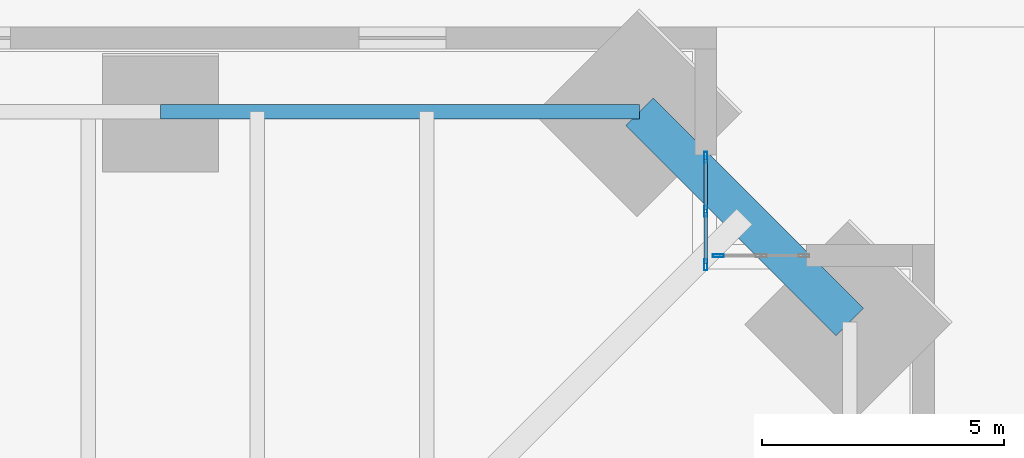
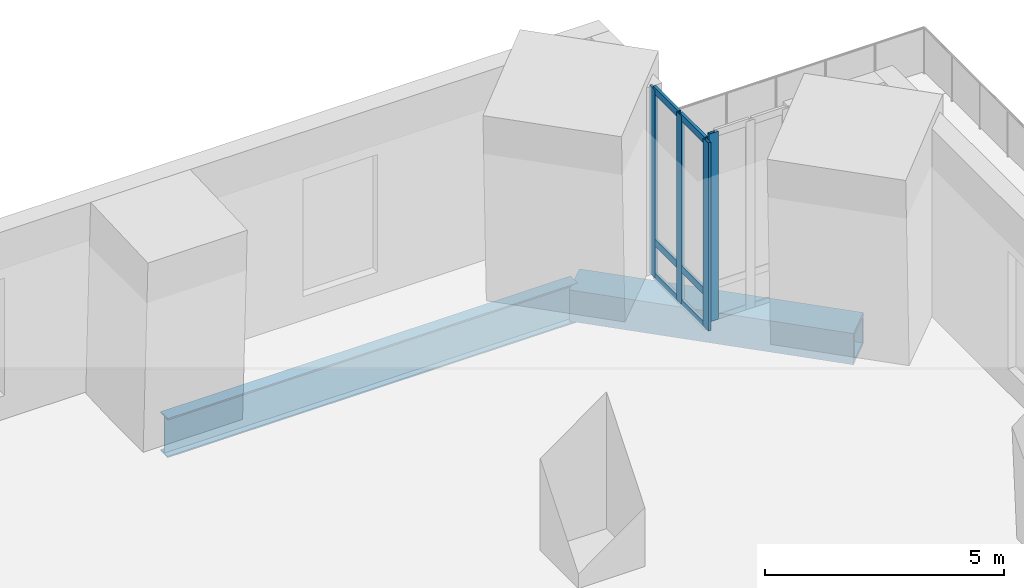
# One storey, part 8 of 26: 10 members, 2 beams, 2 elements without a shape of their own.
"""IFC4 building model written with IfcOpenShell, lengths in metres."""

from ifc_helpers import new_model, si_unit, direction, frame, origin, origin_2d, place, context, subcontext, project, spatial, hollow_rectangle, i_section, extrude, material, material_profile, profile_set, type_object, element, aggregate, save


model = new_model("IFC4")

# Units and contexts
model_context = context("Model", 3, precision=1e-05, world=origin(), true_north=direction((0.0, 1.0)))
body_context = subcontext(model_context, "Body", "Model", "MODEL_VIEW")
ifc_project = project(units=[si_unit("LENGTHUNIT", "METRE"), si_unit("AREAUNIT", "SQUARE_METRE"), si_unit("VOLUMEUNIT", "CUBIC_METRE"), si_unit("PLANEANGLEUNIT", "RADIAN"), si_unit("MASSUNIT", "GRAM", prefix="KILO")], contexts=[model_context])

# Site, building, storey
site_placement = place(None, origin())
site = spatial("IfcSite", under=ifc_project, at=site_placement, CompositionType="ELEMENT")
building_placement = place(site_placement, origin())
building = spatial("IfcBuilding", under=site, at=building_placement, Name="Peilmerk Tower", CompositionType="ELEMENT")
storey_placement = place(building_placement, frame((0.0, 0.0, 16.0)))
storey = spatial("IfcBuildingStorey", under=building, at=storey_placement, Name="L03", CompositionType="ELEMENT", Elevation=16.0)

# Beams
ifc_material_1 = material(Name="Steel S355", Category="steel")
ifc_material_profile_1 = material_profile(ifc_material_1, i_section(OverallWidth=0.300048828125, OverallDepth=1.0, WebThickness=0.01904296875, FlangeThickness=0.035888671875, at=origin_2d()), Name="HEB 1000")
ifc_profile_set_1 = profile_set([ifc_material_profile_1], Name="Steel S355")
beam_type_1 = type_object("IfcBeamType", Name="B13 HEB 1000 edge beam", PredefinedType="SPANDREL", material=ifc_profile_set_1)
beam_1_placement = place(storey_placement, frame((25.901611328125, 30.251708984375, -0.699951171875), z_axis=(-1.0, 0.0, 0.0), x_axis=(0.0, -1.0, 0.0)))
element("IfcBeam", 1, at=beam_1_placement, inside=storey, type_object=beam_type_1, Name="Edge beam L03", PredefinedType="SPANDREL", context=body_context, shape_type="SweptSolid", body=[
    extrude(i_section(OverallWidth=0.300048828125, OverallDepth=1.0, WebThickness=0.01904296875, FlangeThickness=0.035888671875, at=origin_2d()), origin(), (0.0, 0.0, 1.0), 9.901611328125),
])
ifc_material_2 = material(Name="Steel S460", Category="steel")
ifc_material_profile_2 = material_profile(ifc_material_2, hollow_rectangle(XDim=0.800048828125, YDim=0.800048828125, WallThickness=0.080078125, at=origin_2d()), Name="BOX 800x800x80")
ifc_profile_set_2 = profile_set([ifc_material_profile_2], Name="Steel S460")
beam_type_2 = type_object("IfcBeamType", Name="B8 BOX 800x800x80 notch beam", PredefinedType="SPANDREL", material=ifc_profile_set_2)
beam_2_placement = place(storey_placement, frame((25.901611328125, 30.251708984375, -0.60009765625), z_axis=(0.707106781187, -0.707106781187, 0.0), x_axis=(0.707106781187, 0.707106781187, 0.0)))
element("IfcBeam", 2, at=beam_2_placement, inside=storey, type_object=beam_type_2, Name="Notch beam L03", PredefinedType="SPANDREL", context=body_context, shape_type="SweptSolid", body=[
    extrude(hollow_rectangle(XDim=0.800048828125, YDim=0.800048828125, WallThickness=0.080078125, at=origin_2d()), origin(), (0.0, 0.0, 1.0), 6.15185546875),
])

# Curtain wall, members
ifc_material_3 = material(Name="Aluminium stick curtain wall", Category="aluminium")
curtain_wall_type = type_object("IfcCurtainWallType", Name="CW1 stick curtain wall, 1500 module", PredefinedType="NOTDEFINED", material=ifc_material_3)
curtain_wall_1_placement = place(storey_placement, origin())
curtain_wall_1 = element("IfcCurtainWall", 3, at=curtain_wall_1_placement, inside=storey, type_object=curtain_wall_type, Name="Curtain wall CW1 NEA L03", PredefinedType="NOTDEFINED")
ifc_material_4 = material(Name="Aluminium EN AW-6063 T6", Category="aluminium")
ifc_material_profile_3 = material_profile(ifc_material_4, hollow_rectangle(XDim=0.06494140625, YDim=0.22509765625, WallThickness=0.00390625, at=origin_2d()), Name="AL 225x65x4")
ifc_profile_set_3 = profile_set([ifc_material_profile_3], Name="Aluminium EN AW-6063 T6")
member_type_1 = type_object("IfcMemberType", Name="CW1-M AL 225x65x4 mullion", PredefinedType="MULLION", material=ifc_profile_set_3)
member_1_placement = place(storey_placement, frame((27.27490234375, 27.08251953125, 0.0), z_axis=(0.0, 0.0, 1.0), x_axis=(-1.0, 0.0, 0.0)))
member_1 = element("IfcMember", 4, at=member_1_placement, type_object=member_type_1, Name="CW1 mullion 1", PredefinedType="MULLION", context=body_context, shape_type="SweptSolid", body=[
    extrude(hollow_rectangle(XDim=0.06494140625, YDim=0.22509765625, WallThickness=0.00390625, at=origin_2d()), origin(), (0.0, 0.0, 1.0), 4.800048828125),
])
member_2_placement = place(storey_placement, frame((27.27490234375, 28.1943359375, 0.0), z_axis=(0.0, 0.0, 1.0), x_axis=(-1.0, 0.0, 0.0)))
member_2 = element("IfcMember", 5, at=member_2_placement, type_object=member_type_1, Name="CW1 mullion 2", PredefinedType="MULLION", context=body_context, shape_type="SweptSolid", body=[
    extrude(hollow_rectangle(XDim=0.06494140625, YDim=0.22509765625, WallThickness=0.00390625, at=origin_2d()), origin(), (0.0, 0.0, 1.0), 4.800048828125),
])
member_3_placement = place(storey_placement, frame((27.27490234375, 29.30615234375, 0.0), z_axis=(0.0, 0.0, 1.0), x_axis=(-1.0, 0.0, 0.0)))
member_3 = element("IfcMember", 6, at=member_3_placement, type_object=member_type_1, Name="CW1 mullion 3", PredefinedType="MULLION", context=body_context, shape_type="SweptSolid", body=[
    extrude(hollow_rectangle(XDim=0.06494140625, YDim=0.22509765625, WallThickness=0.00390625, at=origin_2d()), origin(), (0.0, 0.0, 1.0), 4.800048828125),
])

# Curtain wall, member
curtain_wall_2_placement = place(storey_placement, origin())
curtain_wall_2 = element("IfcCurtainWall", 7, at=curtain_wall_2_placement, inside=storey, type_object=curtain_wall_type, Name="Curtain wall CW1 NEB L03", PredefinedType="NOTDEFINED")
member_4_placement = place(storey_placement, frame((27.532470703125, 27.27490234375, 0.0), z_axis=(0.0, 0.0, 1.0), x_axis=(0.0, 1.0, 0.0)))
member_4 = element("IfcMember", 8, at=member_4_placement, type_object=member_type_1, Name="CW1 mullion 1", PredefinedType="MULLION", context=body_context, shape_type="SweptSolid", body=[
    extrude(hollow_rectangle(XDim=0.06494140625, YDim=0.22509765625, WallThickness=0.00390625, at=origin_2d()), origin(), (0.0, 0.0, 1.0), 4.800048828125),
])
aggregate(curtain_wall_2, [member_4])

# Member
ifc_material_profile_4 = material_profile(ifc_material_4, hollow_rectangle(XDim=0.06494140625, YDim=0.179931640625, WallThickness=0.0029296875, at=origin_2d()), Name="AL 180x65x3")
ifc_profile_set_4 = profile_set([ifc_material_profile_4], Name="Aluminium EN AW-6063 T6")
member_type_2 = type_object("IfcMemberType", Name="CW1-T AL 180x65x3 transom", PredefinedType="USERDEFINED", material=ifc_profile_set_4)
member_5_placement = place(storey_placement, frame((27.27490234375, 27.114990234375, 0.032470703125), z_axis=(0.0, 1.0, 0.0), x_axis=(-1.0, 0.0, 0.0)))
member_5 = element("IfcMember", 9, at=member_5_placement, type_object=member_type_2, Name="CW1 transom 1.1", ObjectType="TRANSOM", PredefinedType="USERDEFINED", context=body_context, shape_type="SweptSolid", body=[
    extrude(hollow_rectangle(XDim=0.06494140625, YDim=0.179931640625, WallThickness=0.0029296875, at=origin_2d()), origin(), (0.0, 0.0, 1.0), 1.046875),
])

member_6_placement = place(storey_placement, frame((27.27490234375, 27.114990234375, 0.89990234375), z_axis=(0.0, 1.0, 0.0), x_axis=(-1.0, 0.0, 0.0)))
member_6 = element("IfcMember", 10, at=member_6_placement, type_object=member_type_2, Name="CW1 transom 1.2", ObjectType="TRANSOM", PredefinedType="USERDEFINED", context=body_context, shape_type="SweptSolid", body=[
    extrude(hollow_rectangle(XDim=0.06494140625, YDim=0.179931640625, WallThickness=0.0029296875, at=origin_2d()), origin(), (0.0, 0.0, 1.0), 1.046875),
])

member_7_placement = place(storey_placement, frame((27.27490234375, 27.114990234375, 4.767578125), z_axis=(0.0, 1.0, 0.0), x_axis=(-1.0, 0.0, 0.0)))
member_7 = element("IfcMember", 11, at=member_7_placement, type_object=member_type_2, Name="CW1 transom 1.3", ObjectType="TRANSOM", PredefinedType="USERDEFINED", context=body_context, shape_type="SweptSolid", body=[
    extrude(hollow_rectangle(XDim=0.06494140625, YDim=0.179931640625, WallThickness=0.0029296875, at=origin_2d()), origin(), (0.0, 0.0, 1.0), 1.046875),
])

member_8_placement = place(storey_placement, frame((27.27490234375, 28.226806640625, 0.032470703125), z_axis=(0.0, 1.0, 0.0), x_axis=(-1.0, 0.0, 0.0)))
member_8 = element("IfcMember", 12, at=member_8_placement, type_object=member_type_2, Name="CW1 transom 2.1", ObjectType="TRANSOM", PredefinedType="USERDEFINED", context=body_context, shape_type="SweptSolid", body=[
    extrude(hollow_rectangle(XDim=0.06494140625, YDim=0.179931640625, WallThickness=0.0029296875, at=origin_2d()), origin(), (0.0, 0.0, 1.0), 1.046875),
])

member_9_placement = place(storey_placement, frame((27.27490234375, 28.226806640625, 0.89990234375), z_axis=(0.0, 1.0, 0.0), x_axis=(-1.0, 0.0, 0.0)))
member_9 = element("IfcMember", 13, at=member_9_placement, type_object=member_type_2, Name="CW1 transom 2.2", ObjectType="TRANSOM", PredefinedType="USERDEFINED", context=body_context, shape_type="SweptSolid", body=[
    extrude(hollow_rectangle(XDim=0.06494140625, YDim=0.179931640625, WallThickness=0.0029296875, at=origin_2d()), origin(), (0.0, 0.0, 1.0), 1.046875),
])

member_10_placement = place(storey_placement, frame((27.27490234375, 28.226806640625, 4.767578125), z_axis=(0.0, 1.0, 0.0), x_axis=(-1.0, 0.0, 0.0)))
member_10 = element("IfcMember", 14, at=member_10_placement, type_object=member_type_2, Name="CW1 transom 2.3", ObjectType="TRANSOM", PredefinedType="USERDEFINED", context=body_context, shape_type="SweptSolid", body=[
    extrude(hollow_rectangle(XDim=0.06494140625, YDim=0.179931640625, WallThickness=0.0029296875, at=origin_2d()), origin(), (0.0, 0.0, 1.0), 1.046875),
])

aggregate(curtain_wall_1, [member_1, member_2, member_3, member_5, member_6, member_7, member_8, member_9, member_10])

save(model, "model.ifc")
